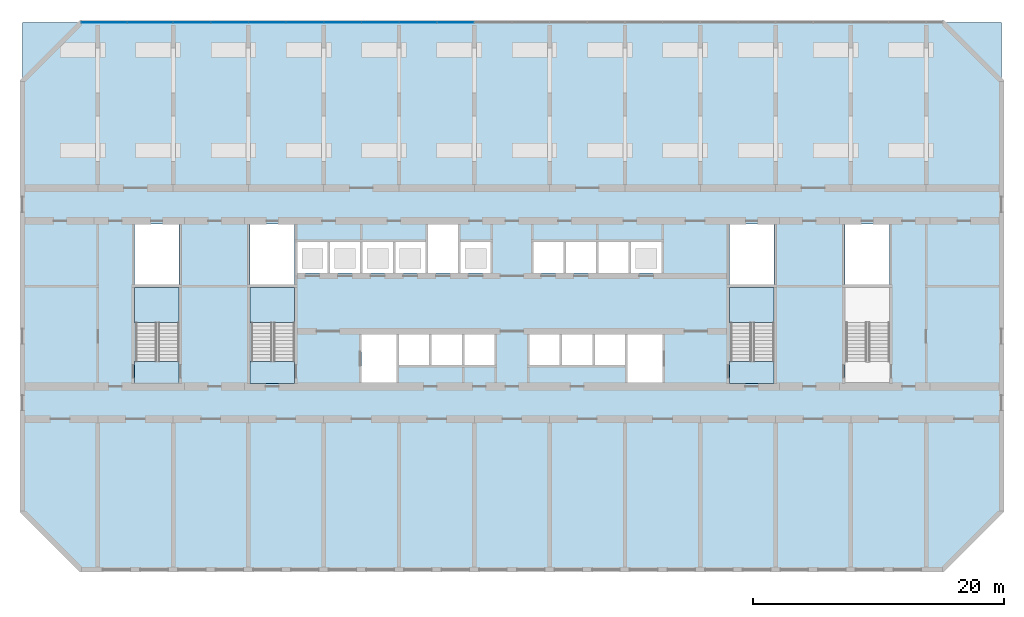
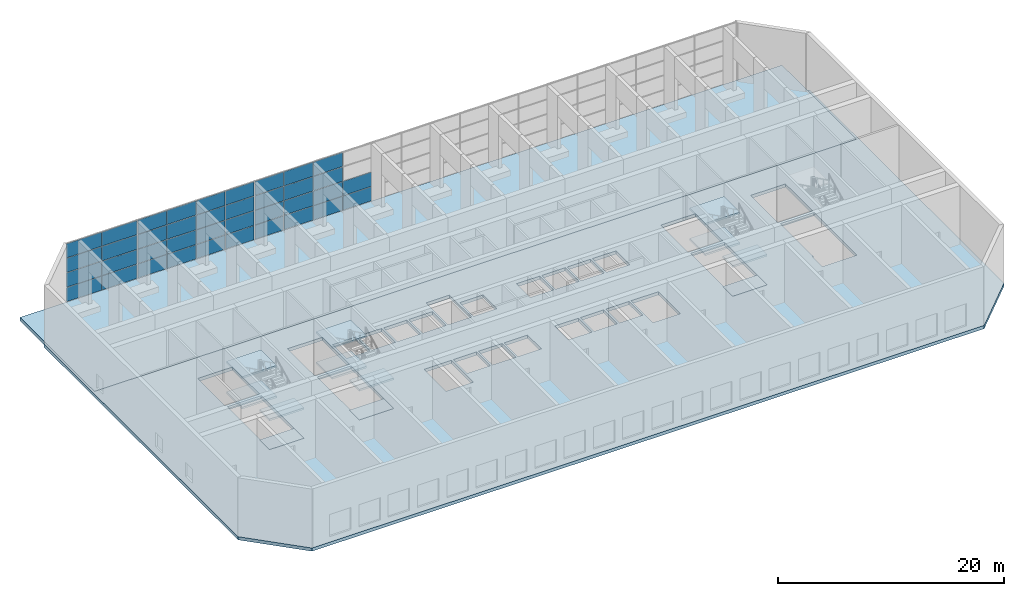
# One storey, part 4 of 16: 38 plates, 14 slabs, 6 elements without a shape of their own.
"""IFC4 building model written with IfcOpenShell, lengths in metres."""

from ifc_helpers import new_model, si_unit, direction, frame, origin, origin_2d, place, context, subcontext, project, spatial, polyline, rectangle, outline, extrude, source, transform, mapped, material, layer, layer_set, type_object, element, aggregate, save


model = new_model("IFC4")

# Units and contexts
model_context = context("Model", 3, precision=1e-05, world=origin(), true_north=direction((0.0, 1.0)))
body_context = subcontext(model_context, "Body", "Model", "MODEL_VIEW")
ifc_project = project(units=[si_unit("LENGTHUNIT", "METRE"), si_unit("AREAUNIT", "SQUARE_METRE"), si_unit("VOLUMEUNIT", "CUBIC_METRE"), si_unit("PLANEANGLEUNIT", "RADIAN"), si_unit("MASSUNIT", "GRAM", prefix="KILO")], contexts=[model_context])

# Site, building, storey
site_placement = place(None, origin())
site = spatial("IfcSite", under=ifc_project, at=site_placement, CompositionType="ELEMENT")
building_placement = place(site_placement, origin())
building = spatial("IfcBuilding", under=site, at=building_placement, Name="Poui Terraces", CompositionType="ELEMENT")
storey_placement = place(building_placement, frame((0.0, 0.0, 115.800048828125)))
storey = spatial("IfcBuildingStorey", under=building, at=storey_placement, Name="L32", CompositionType="ELEMENT", Elevation=115.800048828125)

# Curtain wall, plates
ifc_material_1 = material(Name="Clear glass", Category="glass")
ifc_layer_1 = layer(ifc_material_1, 0.159912109375)
ifc_layer_set_1 = layer_set([ifc_layer_1], Name="Clear glass")
curtain_wall_type = type_object("IfcCurtainWallType", Name="CURTAIN WALL CW-D SKY GARDEN GLAZING", PredefinedType="NOTDEFINED", material=ifc_layer_set_1)
curtain_wall_1_placement = place(storey_placement, origin())
curtain_wall_1 = element("IfcCurtainWall", 1, at=curtain_wall_1_placement, inside=storey, type_object=curtain_wall_type, Name="CW-D SKY GARDEN GLAZING", PredefinedType="NOTDEFINED")
ifc_layer_2 = layer(ifc_material_1, 0.052001953125)
ifc_layer_set_2 = layer_set([ifc_layer_2], Name="Clear glass")
plate_type = type_object("IfcPlateType", Name="CW-D GLASS PANEL 52", PredefinedType="CURTAIN_PANEL", material=ifc_layer_set_2)
plate_1_placement = place(storey_placement, frame((22.158203125, 43.60009765625, 0.0498046875), z_axis=(0.0, 0.0, 1.0), x_axis=(-1.0, 0.0, 0.0)))
plate_1 = element("IfcPlate", 2, at=plate_1_placement, type_object=plate_type, Name="CW-D panel 1.1", PredefinedType="CURTAIN_PANEL", context=body_context, shape_type="SweptSolid", body=[
    extrude(rectangle(XDim=3.58349609375, YDim=0.052001953125, at=origin_2d()), origin(), (0.0, 0.0, 1.0), 1.517578125),
])
plate_2_placement = place(storey_placement, frame((22.158203125, 43.60009765625, 1.617431640625), z_axis=(0.0, 0.0, 1.0), x_axis=(-1.0, 0.0, 0.0)))
plate_2 = element("IfcPlate", 3, at=plate_2_placement, type_object=plate_type, Name="CW-D panel 1.2", PredefinedType="CURTAIN_PANEL", context=body_context, shape_type="SweptSolid", body=[
    extrude(rectangle(XDim=3.58349609375, YDim=0.052001953125, at=origin_2d()), origin(), (0.0, 0.0, 1.0), 1.54248046875),
])
plate_3_placement = place(storey_placement, frame((22.158203125, 43.60009765625, 3.2099609375), z_axis=(0.0, 0.0, 1.0), x_axis=(-1.0, 0.0, 0.0)))
plate_3 = element("IfcPlate", 4, at=plate_3_placement, type_object=plate_type, Name="CW-D panel 1.3", PredefinedType="CURTAIN_PANEL", context=body_context, shape_type="SweptSolid", body=[
    extrude(rectangle(XDim=3.58349609375, YDim=0.052001953125, at=origin_2d()), origin(), (0.0, 0.0, 1.0), 1.54248046875),
])
plate_4_placement = place(storey_placement, frame((22.158203125, 43.60009765625, 4.802490234375), z_axis=(0.0, 0.0, 1.0), x_axis=(-1.0, 0.0, 0.0)))
plate_4 = element("IfcPlate", 5, at=plate_4_placement, type_object=plate_type, Name="CW-D panel 1.4", PredefinedType="CURTAIN_PANEL", context=body_context, shape_type="SweptSolid", body=[
    extrude(rectangle(XDim=3.58349609375, YDim=0.052001953125, at=origin_2d()), origin(), (0.0, 0.0, 1.0), 1.517578125),
])
plate_5_placement = place(storey_placement, frame((18.524658203125, 43.60009765625, 0.0498046875), z_axis=(0.0, 0.0, 1.0), x_axis=(-1.0, 0.0, 0.0)))
plate_5 = element("IfcPlate", 6, at=plate_5_placement, type_object=plate_type, Name="CW-D panel 2.1", PredefinedType="CURTAIN_PANEL", context=body_context, shape_type="SweptSolid", body=[
    extrude(rectangle(XDim=3.58349609375, YDim=0.052001953125, at=origin_2d()), origin(), (0.0, 0.0, 1.0), 1.517578125),
])
plate_6_placement = place(storey_placement, frame((18.524658203125, 43.60009765625, 1.617431640625), z_axis=(0.0, 0.0, 1.0), x_axis=(-1.0, 0.0, 0.0)))
plate_6 = element("IfcPlate", 7, at=plate_6_placement, type_object=plate_type, Name="CW-D panel 2.2", PredefinedType="CURTAIN_PANEL", context=body_context, shape_type="SweptSolid", body=[
    extrude(rectangle(XDim=3.58349609375, YDim=0.052001953125, at=origin_2d()), origin(), (0.0, 0.0, 1.0), 1.54248046875),
])
plate_7_placement = place(storey_placement, frame((18.524658203125, 43.60009765625, 3.2099609375), z_axis=(0.0, 0.0, 1.0), x_axis=(-1.0, 0.0, 0.0)))
plate_7 = element("IfcPlate", 8, at=plate_7_placement, type_object=plate_type, Name="CW-D panel 2.3", PredefinedType="CURTAIN_PANEL", context=body_context, shape_type="SweptSolid", body=[
    extrude(rectangle(XDim=3.58349609375, YDim=0.052001953125, at=origin_2d()), origin(), (0.0, 0.0, 1.0), 1.54248046875),
])
plate_8_placement = place(storey_placement, frame((18.524658203125, 43.60009765625, 4.802490234375), z_axis=(0.0, 0.0, 1.0), x_axis=(-1.0, 0.0, 0.0)))
plate_8 = element("IfcPlate", 9, at=plate_8_placement, type_object=plate_type, Name="CW-D panel 2.4", PredefinedType="CURTAIN_PANEL", context=body_context, shape_type="SweptSolid", body=[
    extrude(rectangle(XDim=3.58349609375, YDim=0.052001953125, at=origin_2d()), origin(), (0.0, 0.0, 1.0), 1.517578125),
])
aggregate(curtain_wall_1, [plate_1, plate_2, plate_3, plate_4, plate_5, plate_6, plate_7, plate_8])

curtain_wall_2_placement = place(storey_placement, origin())
curtain_wall_2 = element("IfcCurtainWall", 10, at=curtain_wall_2_placement, inside=storey, type_object=curtain_wall_type, Name="CW-D SKY GARDEN GLAZING", PredefinedType="NOTDEFINED")
plate_9_placement = place(storey_placement, frame((34.487548828125, 43.60009765625, 0.0498046875), z_axis=(0.0, 0.0, 1.0), x_axis=(-1.0, 0.0, 0.0)))
plate_9 = element("IfcPlate", 11, at=plate_9_placement, type_object=plate_type, Name="CW-D panel 1.1", PredefinedType="CURTAIN_PANEL", context=body_context, shape_type="SweptSolid", body=[
    extrude(rectangle(XDim=2.925048828125, YDim=0.052001953125, at=origin_2d()), origin(), (0.0, 0.0, 1.0), 1.517578125),
])
plate_10_placement = place(storey_placement, frame((34.487548828125, 43.60009765625, 1.617431640625), z_axis=(0.0, 0.0, 1.0), x_axis=(-1.0, 0.0, 0.0)))
plate_10 = element("IfcPlate", 12, at=plate_10_placement, type_object=plate_type, Name="CW-D panel 1.2", PredefinedType="CURTAIN_PANEL", context=body_context, shape_type="SweptSolid", body=[
    extrude(rectangle(XDim=2.925048828125, YDim=0.052001953125, at=origin_2d()), origin(), (0.0, 0.0, 1.0), 1.54248046875),
])
plate_11_placement = place(storey_placement, frame((34.487548828125, 43.60009765625, 3.2099609375), z_axis=(0.0, 0.0, 1.0), x_axis=(-1.0, 0.0, 0.0)))
plate_11 = element("IfcPlate", 13, at=plate_11_placement, type_object=plate_type, Name="CW-D panel 1.3", PredefinedType="CURTAIN_PANEL", context=body_context, shape_type="SweptSolid", body=[
    extrude(rectangle(XDim=2.925048828125, YDim=0.052001953125, at=origin_2d()), origin(), (0.0, 0.0, 1.0), 1.54248046875),
])
plate_12_placement = place(storey_placement, frame((34.487548828125, 43.60009765625, 4.802490234375), z_axis=(0.0, 0.0, 1.0), x_axis=(-1.0, 0.0, 0.0)))
plate_12 = element("IfcPlate", 14, at=plate_12_placement, type_object=plate_type, Name="CW-D panel 1.4", PredefinedType="CURTAIN_PANEL", context=body_context, shape_type="SweptSolid", body=[
    extrude(rectangle(XDim=2.925048828125, YDim=0.052001953125, at=origin_2d()), origin(), (0.0, 0.0, 1.0), 1.517578125),
])
plate_13_placement = place(storey_placement, frame((31.5, 43.60009765625, 0.0498046875), z_axis=(0.0, 0.0, 1.0), x_axis=(-1.0, 0.0, 0.0)))
plate_13 = element("IfcPlate", 15, at=plate_13_placement, type_object=plate_type, Name="CW-D panel 2.1", PredefinedType="CURTAIN_PANEL", context=body_context, shape_type="SweptSolid", body=[
    extrude(rectangle(XDim=2.949951171875, YDim=0.052001953125, at=origin_2d()), origin(), (0.0, 0.0, 1.0), 1.517578125),
])
plate_14_placement = place(storey_placement, frame((31.5, 43.60009765625, 1.617431640625), z_axis=(0.0, 0.0, 1.0), x_axis=(-1.0, 0.0, 0.0)))
plate_14 = element("IfcPlate", 16, at=plate_14_placement, type_object=plate_type, Name="CW-D panel 2.2", PredefinedType="CURTAIN_PANEL", context=body_context, shape_type="SweptSolid", body=[
    extrude(rectangle(XDim=2.949951171875, YDim=0.052001953125, at=origin_2d()), origin(), (0.0, 0.0, 1.0), 1.54248046875),
])
plate_15_placement = place(storey_placement, frame((31.5, 43.60009765625, 3.2099609375), z_axis=(0.0, 0.0, 1.0), x_axis=(-1.0, 0.0, 0.0)))
plate_15 = element("IfcPlate", 17, at=plate_15_placement, type_object=plate_type, Name="CW-D panel 2.3", PredefinedType="CURTAIN_PANEL", context=body_context, shape_type="SweptSolid", body=[
    extrude(rectangle(XDim=2.949951171875, YDim=0.052001953125, at=origin_2d()), origin(), (0.0, 0.0, 1.0), 1.54248046875),
])
plate_16_placement = place(storey_placement, frame((31.5, 43.60009765625, 4.802490234375), z_axis=(0.0, 0.0, 1.0), x_axis=(-1.0, 0.0, 0.0)))
plate_16 = element("IfcPlate", 18, at=plate_16_placement, type_object=plate_type, Name="CW-D panel 2.4", PredefinedType="CURTAIN_PANEL", context=body_context, shape_type="SweptSolid", body=[
    extrude(rectangle(XDim=2.949951171875, YDim=0.052001953125, at=origin_2d()), origin(), (0.0, 0.0, 1.0), 1.517578125),
])
plate_17_placement = place(storey_placement, frame((28.5, 43.60009765625, 0.0498046875), z_axis=(0.0, 0.0, 1.0), x_axis=(-1.0, 0.0, 0.0)))
plate_17 = element("IfcPlate", 19, at=plate_17_placement, type_object=plate_type, Name="CW-D panel 3.1", PredefinedType="CURTAIN_PANEL", context=body_context, shape_type="SweptSolid", body=[
    extrude(rectangle(XDim=2.949951171875, YDim=0.052001953125, at=origin_2d()), origin(), (0.0, 0.0, 1.0), 1.517578125),
])
plate_18_placement = place(storey_placement, frame((28.5, 43.60009765625, 1.617431640625), z_axis=(0.0, 0.0, 1.0), x_axis=(-1.0, 0.0, 0.0)))
plate_18 = element("IfcPlate", 20, at=plate_18_placement, type_object=plate_type, Name="CW-D panel 3.2", PredefinedType="CURTAIN_PANEL", context=body_context, shape_type="SweptSolid", body=[
    extrude(rectangle(XDim=2.949951171875, YDim=0.052001953125, at=origin_2d()), origin(), (0.0, 0.0, 1.0), 1.54248046875),
])
plate_19_placement = place(storey_placement, frame((28.5, 43.60009765625, 3.2099609375), z_axis=(0.0, 0.0, 1.0), x_axis=(-1.0, 0.0, 0.0)))
plate_19 = element("IfcPlate", 21, at=plate_19_placement, type_object=plate_type, Name="CW-D panel 3.3", PredefinedType="CURTAIN_PANEL", context=body_context, shape_type="SweptSolid", body=[
    extrude(rectangle(XDim=2.949951171875, YDim=0.052001953125, at=origin_2d()), origin(), (0.0, 0.0, 1.0), 1.54248046875),
])
plate_20_placement = place(storey_placement, frame((28.5, 43.60009765625, 4.802490234375), z_axis=(0.0, 0.0, 1.0), x_axis=(-1.0, 0.0, 0.0)))
plate_20 = element("IfcPlate", 22, at=plate_20_placement, type_object=plate_type, Name="CW-D panel 3.4", PredefinedType="CURTAIN_PANEL", context=body_context, shape_type="SweptSolid", body=[
    extrude(rectangle(XDim=2.949951171875, YDim=0.052001953125, at=origin_2d()), origin(), (0.0, 0.0, 1.0), 1.517578125),
])
plate_21_placement = place(storey_placement, frame((25.512451171875, 43.60009765625, 0.0498046875), z_axis=(0.0, 0.0, 1.0), x_axis=(-1.0, 0.0, 0.0)))
plate_21 = element("IfcPlate", 23, at=plate_21_placement, type_object=plate_type, Name="CW-D panel 4.1", PredefinedType="CURTAIN_PANEL", context=body_context, shape_type="SweptSolid", body=[
    extrude(rectangle(XDim=2.925048828125, YDim=0.052001953125, at=origin_2d()), origin(), (0.0, 0.0, 1.0), 1.517578125),
])
plate_22_placement = place(storey_placement, frame((25.512451171875, 43.60009765625, 1.617431640625), z_axis=(0.0, 0.0, 1.0), x_axis=(-1.0, 0.0, 0.0)))
plate_22 = element("IfcPlate", 24, at=plate_22_placement, type_object=plate_type, Name="CW-D panel 4.2", PredefinedType="CURTAIN_PANEL", context=body_context, shape_type="SweptSolid", body=[
    extrude(rectangle(XDim=2.925048828125, YDim=0.052001953125, at=origin_2d()), origin(), (0.0, 0.0, 1.0), 1.54248046875),
])
plate_23_placement = place(storey_placement, frame((25.512451171875, 43.60009765625, 3.2099609375), z_axis=(0.0, 0.0, 1.0), x_axis=(-1.0, 0.0, 0.0)))
plate_23 = element("IfcPlate", 25, at=plate_23_placement, type_object=plate_type, Name="CW-D panel 4.3", PredefinedType="CURTAIN_PANEL", context=body_context, shape_type="SweptSolid", body=[
    extrude(rectangle(XDim=2.925048828125, YDim=0.052001953125, at=origin_2d()), origin(), (0.0, 0.0, 1.0), 1.54248046875),
])
plate_24_placement = place(storey_placement, frame((25.512451171875, 43.60009765625, 4.802490234375), z_axis=(0.0, 0.0, 1.0), x_axis=(-1.0, 0.0, 0.0)))
plate_24 = element("IfcPlate", 26, at=plate_24_placement, type_object=plate_type, Name="CW-D panel 4.4", PredefinedType="CURTAIN_PANEL", context=body_context, shape_type="SweptSolid", body=[
    extrude(rectangle(XDim=2.925048828125, YDim=0.052001953125, at=origin_2d()), origin(), (0.0, 0.0, 1.0), 1.517578125),
])
aggregate(curtain_wall_2, [plate_9, plate_10, plate_11, plate_12, plate_13, plate_14, plate_15, plate_16, plate_17, plate_18, plate_19, plate_20, plate_21, plate_22, plate_23, plate_24])

curtain_wall_3_placement = place(storey_placement, origin())
curtain_wall_3 = element("IfcCurtainWall", 27, at=curtain_wall_3_placement, inside=storey, type_object=curtain_wall_type, Name="CW-D SKY GARDEN GLAZING", PredefinedType="NOTDEFINED")
plate_25_placement = place(storey_placement, frame((46.487548828125, 43.60009765625, 0.0498046875), z_axis=(0.0, 0.0, 1.0), x_axis=(-1.0, 0.0, 0.0)))
plate_25 = element("IfcPlate", 28, at=plate_25_placement, type_object=plate_type, Name="CW-D panel 1.1", PredefinedType="CURTAIN_PANEL", context=body_context, shape_type="SweptSolid", body=[
    extrude(rectangle(XDim=2.925048828125, YDim=0.052001953125, at=origin_2d()), origin(), (0.0, 0.0, 1.0), 1.517578125),
])
plate_26_placement = place(storey_placement, frame((46.487548828125, 43.60009765625, 1.617431640625), z_axis=(0.0, 0.0, 1.0), x_axis=(-1.0, 0.0, 0.0)))
plate_26 = element("IfcPlate", 29, at=plate_26_placement, type_object=plate_type, Name="CW-D panel 1.2", PredefinedType="CURTAIN_PANEL", context=body_context, shape_type="SweptSolid", body=[
    extrude(rectangle(XDim=2.925048828125, YDim=0.052001953125, at=origin_2d()), origin(), (0.0, 0.0, 1.0), 1.54248046875),
])
plate_27_placement = place(storey_placement, frame((43.5, 43.60009765625, 0.0498046875), z_axis=(0.0, 0.0, 1.0), x_axis=(-1.0, 0.0, 0.0)))
plate_27 = element("IfcPlate", 30, at=plate_27_placement, type_object=plate_type, Name="CW-D panel 2.1", PredefinedType="CURTAIN_PANEL", context=body_context, shape_type="SweptSolid", body=[
    extrude(rectangle(XDim=2.949951171875, YDim=0.052001953125, at=origin_2d()), origin(), (0.0, 0.0, 1.0), 1.517578125),
])
plate_28_placement = place(storey_placement, frame((43.5, 43.60009765625, 1.617431640625), z_axis=(0.0, 0.0, 1.0), x_axis=(-1.0, 0.0, 0.0)))
plate_28 = element("IfcPlate", 31, at=plate_28_placement, type_object=plate_type, Name="CW-D panel 2.2", PredefinedType="CURTAIN_PANEL", context=body_context, shape_type="SweptSolid", body=[
    extrude(rectangle(XDim=2.949951171875, YDim=0.052001953125, at=origin_2d()), origin(), (0.0, 0.0, 1.0), 1.54248046875),
])
plate_29_placement = place(storey_placement, frame((43.5, 43.60009765625, 3.2099609375), z_axis=(0.0, 0.0, 1.0), x_axis=(-1.0, 0.0, 0.0)))
plate_29 = element("IfcPlate", 32, at=plate_29_placement, type_object=plate_type, Name="CW-D panel 2.3", PredefinedType="CURTAIN_PANEL", context=body_context, shape_type="SweptSolid", body=[
    extrude(rectangle(XDim=2.949951171875, YDim=0.052001953125, at=origin_2d()), origin(), (0.0, 0.0, 1.0), 1.54248046875),
])
plate_30_placement = place(storey_placement, frame((43.5, 43.60009765625, 4.802490234375), z_axis=(0.0, 0.0, 1.0), x_axis=(-1.0, 0.0, 0.0)))
plate_30 = element("IfcPlate", 33, at=plate_30_placement, type_object=plate_type, Name="CW-D panel 2.4", PredefinedType="CURTAIN_PANEL", context=body_context, shape_type="SweptSolid", body=[
    extrude(rectangle(XDim=2.949951171875, YDim=0.052001953125, at=origin_2d()), origin(), (0.0, 0.0, 1.0), 1.517578125),
])
plate_31_placement = place(storey_placement, frame((40.5, 43.60009765625, 0.0498046875), z_axis=(0.0, 0.0, 1.0), x_axis=(-1.0, 0.0, 0.0)))
plate_31 = element("IfcPlate", 34, at=plate_31_placement, type_object=plate_type, Name="CW-D panel 3.1", PredefinedType="CURTAIN_PANEL", context=body_context, shape_type="SweptSolid", body=[
    extrude(rectangle(XDim=2.949951171875, YDim=0.052001953125, at=origin_2d()), origin(), (0.0, 0.0, 1.0), 1.517578125),
])
plate_32_placement = place(storey_placement, frame((40.5, 43.60009765625, 1.617431640625), z_axis=(0.0, 0.0, 1.0), x_axis=(-1.0, 0.0, 0.0)))
plate_32 = element("IfcPlate", 35, at=plate_32_placement, type_object=plate_type, Name="CW-D panel 3.2", PredefinedType="CURTAIN_PANEL", context=body_context, shape_type="SweptSolid", body=[
    extrude(rectangle(XDim=2.949951171875, YDim=0.052001953125, at=origin_2d()), origin(), (0.0, 0.0, 1.0), 1.54248046875),
])
plate_33_placement = place(storey_placement, frame((40.5, 43.60009765625, 3.2099609375), z_axis=(0.0, 0.0, 1.0), x_axis=(-1.0, 0.0, 0.0)))
plate_33 = element("IfcPlate", 36, at=plate_33_placement, type_object=plate_type, Name="CW-D panel 3.3", PredefinedType="CURTAIN_PANEL", context=body_context, shape_type="SweptSolid", body=[
    extrude(rectangle(XDim=2.949951171875, YDim=0.052001953125, at=origin_2d()), origin(), (0.0, 0.0, 1.0), 1.54248046875),
])
plate_34_placement = place(storey_placement, frame((40.5, 43.60009765625, 4.802490234375), z_axis=(0.0, 0.0, 1.0), x_axis=(-1.0, 0.0, 0.0)))
plate_34 = element("IfcPlate", 37, at=plate_34_placement, type_object=plate_type, Name="CW-D panel 3.4", PredefinedType="CURTAIN_PANEL", context=body_context, shape_type="SweptSolid", body=[
    extrude(rectangle(XDim=2.949951171875, YDim=0.052001953125, at=origin_2d()), origin(), (0.0, 0.0, 1.0), 1.517578125),
])
plate_35_placement = place(storey_placement, frame((37.512451171875, 43.60009765625, 0.0498046875), z_axis=(0.0, 0.0, 1.0), x_axis=(-1.0, 0.0, 0.0)))
plate_35 = element("IfcPlate", 38, at=plate_35_placement, type_object=plate_type, Name="CW-D panel 4.1", PredefinedType="CURTAIN_PANEL", context=body_context, shape_type="SweptSolid", body=[
    extrude(rectangle(XDim=2.925048828125, YDim=0.052001953125, at=origin_2d()), origin(), (0.0, 0.0, 1.0), 1.517578125),
])
plate_36_placement = place(storey_placement, frame((37.512451171875, 43.60009765625, 1.617431640625), z_axis=(0.0, 0.0, 1.0), x_axis=(-1.0, 0.0, 0.0)))
plate_36 = element("IfcPlate", 39, at=plate_36_placement, type_object=plate_type, Name="CW-D panel 4.2", PredefinedType="CURTAIN_PANEL", context=body_context, shape_type="SweptSolid", body=[
    extrude(rectangle(XDim=2.925048828125, YDim=0.052001953125, at=origin_2d()), origin(), (0.0, 0.0, 1.0), 1.54248046875),
])
plate_37_placement = place(storey_placement, frame((37.512451171875, 43.60009765625, 3.2099609375), z_axis=(0.0, 0.0, 1.0), x_axis=(-1.0, 0.0, 0.0)))
plate_37 = element("IfcPlate", 40, at=plate_37_placement, type_object=plate_type, Name="CW-D panel 4.3", PredefinedType="CURTAIN_PANEL", context=body_context, shape_type="SweptSolid", body=[
    extrude(rectangle(XDim=2.925048828125, YDim=0.052001953125, at=origin_2d()), origin(), (0.0, 0.0, 1.0), 1.54248046875),
])
plate_38_placement = place(storey_placement, frame((37.512451171875, 43.60009765625, 4.802490234375), z_axis=(0.0, 0.0, 1.0), x_axis=(-1.0, 0.0, 0.0)))
plate_38 = element("IfcPlate", 41, at=plate_38_placement, type_object=plate_type, Name="CW-D panel 4.4", PredefinedType="CURTAIN_PANEL", context=body_context, shape_type="SweptSolid", body=[
    extrude(rectangle(XDim=2.925048828125, YDim=0.052001953125, at=origin_2d()), origin(), (0.0, 0.0, 1.0), 1.517578125),
])
aggregate(curtain_wall_3, [plate_25, plate_26, plate_27, plate_28, plate_29, plate_30, plate_31, plate_32, plate_33, plate_34, plate_35, plate_36, plate_37, plate_38])

# Stair, slabs
ifc_material_2 = material(Name="Concrete 65 MPa", Category="concrete")
stair_type = type_object("IfcStairType", Name="EXIT STAIR 1650 65 MPA", PredefinedType="HALF_TURN_STAIR", material=ifc_material_2)
stair_1_placement = place(storey_placement, origin())
stair_1 = element("IfcStair", 42, at=stair_1_placement, inside=storey, type_object=stair_type, Name="L32 CORE STAIR EAST", PredefinedType="HALF_TURN_STAIR")
ifc_layer_3 = layer(ifc_material_2, 0.199951171875)
ifc_layer_set_3 = layer_set([ifc_layer_3], Name="Concrete 65 MPa")
slab_type_1 = type_object("IfcSlabType", Name="STAIR LANDING 200 65 MPA", PredefinedType="LANDING", material=ifc_layer_set_3)
slab_1_placement = place(storey_placement, frame((0.0, 0.0, 1.449951171875)))
slab_1 = element("IfcSlab", 43, at=slab_1_placement, type_object=slab_type_1, Name="ST-CE landing 1", PredefinedType="LANDING", context=body_context, shape_type="SweptSolid", body=[
    extrude(outline(polyline([(68.324951171875, 19.679931640625), (71.875, 19.679931640625), (71.875, 22.47509765625), (68.324951171875, 22.47509765625), (68.324951171875, 19.679931640625)])), origin(), (0.0, 0.0, 1.0), 0.199951171875),
])
slab_2_placement = place(storey_placement, frame((0.0, 0.0, 3.099853515625)))
slab_2 = element("IfcSlab", 44, at=slab_2_placement, type_object=slab_type_1, Name="ST-CE landing 2", PredefinedType="LANDING", context=body_context, shape_type="SweptSolid", body=[
    extrude(outline(polyline([(68.324951171875, 14.85009765625), (71.875, 14.85009765625), (71.875, 16.60009765625), (68.324951171875, 16.60009765625), (68.324951171875, 14.85009765625)])), origin(), (0.0, 0.0, 1.0), 0.2001953125),
])
slab_3_placement = place(storey_placement, frame((0.0, 0.0, 4.749755859375)))
slab_3 = element("IfcSlab", 45, at=slab_3_placement, type_object=slab_type_1, Name="ST-CE landing 3", PredefinedType="LANDING", context=body_context, shape_type="SweptSolid", body=[
    extrude(outline(polyline([(68.324951171875, 19.679931640625), (71.875, 19.679931640625), (71.875, 22.47509765625), (68.324951171875, 22.47509765625), (68.324951171875, 19.679931640625)])), origin(), (0.0, 0.0, 1.0), 0.2001953125),
])
slab_4_placement = place(storey_placement, frame((0.0, 0.0, -0.2001953125)))
slab_4 = element("IfcSlab", 46, at=slab_4_placement, type_object=slab_type_1, Name="ST-CE landing 4", PredefinedType="LANDING", context=body_context, shape_type="SweptSolid", body=[
    extrude(outline(polyline([(68.324951171875, 14.85009765625), (71.875, 14.85009765625), (71.875, 16.60009765625), (68.324951171875, 16.60009765625), (68.324951171875, 14.85009765625)])), origin(), (0.0, 0.0, 1.0), 0.2001953125),
])
aggregate(stair_1, [slab_1, slab_2, slab_3, slab_4])

stair_2_placement = place(storey_placement, origin())
stair_2 = element("IfcStair", 47, at=stair_2_placement, inside=storey, type_object=stair_type, Name="L32 CORE STAIR WEST", PredefinedType="HALF_TURN_STAIR")
slab_5_placement = place(storey_placement, frame((0.0, 0.0, 1.449951171875)))
slab_5 = element("IfcSlab", 48, at=slab_5_placement, type_object=slab_type_1, Name="ST-CW landing 1", PredefinedType="LANDING", context=body_context, shape_type="SweptSolid", body=[
    extrude(outline(polyline([(30.125, 19.679931640625), (33.675048828125, 19.679931640625), (33.675048828125, 22.47509765625), (30.125, 22.47509765625), (30.125, 19.679931640625)])), origin(), (0.0, 0.0, 1.0), 0.199951171875),
])
slab_6_placement = place(storey_placement, frame((0.0, 0.0, 3.099853515625)))
slab_6 = element("IfcSlab", 49, at=slab_6_placement, type_object=slab_type_1, Name="ST-CW landing 2", PredefinedType="LANDING", context=body_context, shape_type="SweptSolid", body=[
    extrude(outline(polyline([(30.125, 14.85009765625), (33.675048828125, 14.85009765625), (33.675048828125, 16.60009765625), (30.125, 16.60009765625), (30.125, 14.85009765625)])), origin(), (0.0, 0.0, 1.0), 0.2001953125),
])
slab_7_placement = place(storey_placement, frame((0.0, 0.0, 4.749755859375)))
slab_7 = element("IfcSlab", 50, at=slab_7_placement, type_object=slab_type_1, Name="ST-CW landing 3", PredefinedType="LANDING", context=body_context, shape_type="SweptSolid", body=[
    extrude(outline(polyline([(30.125, 19.679931640625), (33.675048828125, 19.679931640625), (33.675048828125, 22.47509765625), (30.125, 22.47509765625), (30.125, 19.679931640625)])), origin(), (0.0, 0.0, 1.0), 0.2001953125),
])
slab_8_placement = place(storey_placement, frame((0.0, 0.0, -0.2001953125)))
slab_8 = element("IfcSlab", 51, at=slab_8_placement, type_object=slab_type_1, Name="ST-CW landing 4", PredefinedType="LANDING", context=body_context, shape_type="SweptSolid", body=[
    extrude(outline(polyline([(30.125, 14.85009765625), (33.675048828125, 14.85009765625), (33.675048828125, 16.60009765625), (30.125, 16.60009765625), (30.125, 14.85009765625)])), origin(), (0.0, 0.0, 1.0), 0.2001953125),
])
aggregate(stair_2, [slab_5, slab_6, slab_7, slab_8])

stair_3_placement = place(storey_placement, origin())
stair_3 = element("IfcStair", 52, at=stair_3_placement, inside=storey, type_object=stair_type, Name="L32 TIP STAIR WEST", PredefinedType="HALF_TURN_STAIR")
slab_9_placement = place(storey_placement, frame((0.0, 0.0, 1.449951171875)))
slab_9 = element("IfcSlab", 53, at=slab_9_placement, type_object=slab_type_1, Name="ST-W landing 1", PredefinedType="LANDING", context=body_context, shape_type="SweptSolid", body=[
    extrude(outline(polyline([(20.925048828125, 19.679931640625), (24.47509765625, 19.679931640625), (24.47509765625, 22.47509765625), (20.925048828125, 22.47509765625), (20.925048828125, 19.679931640625)])), origin(), (0.0, 0.0, 1.0), 0.199951171875),
])
slab_10_placement = place(storey_placement, frame((0.0, 0.0, 3.099853515625)))
slab_10 = element("IfcSlab", 54, at=slab_10_placement, type_object=slab_type_1, Name="ST-W landing 2", PredefinedType="LANDING", context=body_context, shape_type="SweptSolid", body=[
    extrude(outline(polyline([(20.925048828125, 14.85009765625), (24.47509765625, 14.85009765625), (24.47509765625, 16.60009765625), (20.925048828125, 16.60009765625), (20.925048828125, 14.85009765625)])), origin(), (0.0, 0.0, 1.0), 0.2001953125),
])
slab_11_placement = place(storey_placement, frame((0.0, 0.0, 4.749755859375)))
slab_11 = element("IfcSlab", 55, at=slab_11_placement, type_object=slab_type_1, Name="ST-W landing 3", PredefinedType="LANDING", context=body_context, shape_type="SweptSolid", body=[
    extrude(outline(polyline([(20.925048828125, 19.679931640625), (24.47509765625, 19.679931640625), (24.47509765625, 22.47509765625), (20.925048828125, 22.47509765625), (20.925048828125, 19.679931640625)])), origin(), (0.0, 0.0, 1.0), 0.2001953125),
])
slab_12_placement = place(storey_placement, frame((0.0, 0.0, -0.2001953125)))
slab_12 = element("IfcSlab", 56, at=slab_12_placement, type_object=slab_type_1, Name="ST-W landing 4", PredefinedType="LANDING", context=body_context, shape_type="SweptSolid", body=[
    extrude(outline(polyline([(20.925048828125, 14.85009765625), (24.47509765625, 14.85009765625), (24.47509765625, 16.60009765625), (20.925048828125, 16.60009765625), (20.925048828125, 14.85009765625)])), origin(), (0.0, 0.0, 1.0), 0.2001953125),
])
aggregate(stair_3, [slab_9, slab_10, slab_11, slab_12])

# Slabs
ifc_material_3 = material(Name="Concrete 40 MPa", Category="concrete")
ifc_layer_4 = layer(ifc_material_3, 0.35009765625)
ifc_layer_set_4 = layer_set([ifc_layer_4], Name="Concrete 40 MPa")
slab_type_2 = type_object("IfcSlabType", Name="FLOOR SLAB 350", PredefinedType="FLOOR", material=ifc_layer_set_4)
shared_shape_1 = source(origin(), body_context, "Body", "SweptSolid", [
    extrude(outline(polyline([(0.0, 0.0), (0.0, 34.39990234375), (-0.199951171875, 34.599853515625), (-0.199951171875, 25.7998046875), (-78.199951171875, 25.7998046875), (-78.199951171875, 34.599853515625), (-78.39990234375, 34.39990234375), (-78.39990234375, 0.0), (-73.599853515625, -4.800048828125), (-4.800048828125, -4.800048828125), (0.0, 0.0)]), holes=[polyline([(-51.199951171875, 10.25), (-51.199951171875, 14.14990234375), (-48.39990234375, 14.14990234375), (-48.39990234375, 10.25), (-51.199951171875, 10.25)]), polyline([(-48.199951171875, 14.14990234375), (-45.800048828125, 14.14990234375), (-45.800048828125, 11.699951171875), (-48.199951171875, 11.699951171875), (-48.199951171875, 14.14990234375)]), polyline([(-45.599853515625, 14.14990234375), (-43.199951171875, 14.14990234375), (-43.199951171875, 11.699951171875), (-45.599853515625, 11.699951171875), (-45.599853515625, 14.14990234375)]), polyline([(-69.175048828125, 17.849853515625), (-65.724853515625, 17.849853515625), (-65.724853515625, 12.0), (-65.724853515625, 10.25), (-69.27490234375, 10.25), (-69.27490234375, 12.0), (-69.175048828125, 12.0), (-69.175048828125, 17.849853515625)]), polyline([(-56.52490234375, 17.849853515625), (-56.52490234375, 12.0), (-56.52490234375, 10.25), (-60.074951171875, 10.25), (-60.074951171875, 12.0), (-59.974853515625, 12.0), (-59.974853515625, 17.849853515625), (-56.52490234375, 17.849853515625)]), polyline([(-56.300048828125, 21.5), (-53.89990234375, 21.5), (-53.89990234375, 19.0498046875), (-56.300048828125, 19.0498046875), (-56.300048828125, 21.5)]), polyline([(-53.699951171875, 19.0498046875), (-53.699951171875, 21.5), (-51.300048828125, 21.5), (-51.300048828125, 19.0498046875), (-53.699951171875, 19.0498046875)]), polyline([(-51.099853515625, 21.5), (-48.699951171875, 21.5), (-48.699951171875, 19.0498046875), (-51.099853515625, 19.0498046875), (-51.099853515625, 21.5)]), polyline([(-48.5, 21.5), (-46.099853515625, 21.5), (-46.099853515625, 19.0498046875), (-48.5, 19.0498046875), (-48.5, 21.5)]), polyline([(-43.300048828125, 21.5), (-40.89990234375, 21.5), (-40.89990234375, 19.0498046875), (-43.300048828125, 19.0498046875), (-43.300048828125, 21.5)]), polyline([(-69.27490234375, 22.949951171875), (-65.724853515625, 22.949951171875), (-65.724853515625, 18.125), (-69.27490234375, 18.125), (-69.27490234375, 22.949951171875)]), polyline([(-60.074951171875, 22.949951171875), (-56.52490234375, 22.949951171875), (-56.52490234375, 18.125), (-60.074951171875, 18.125), (-60.074951171875, 22.949951171875)]), polyline([(-45.89990234375, 22.949951171875), (-43.5, 22.949951171875), (-43.5, 19.0498046875), (-45.89990234375, 19.0498046875), (-45.89990234375, 22.949951171875)]), polyline([(-30.0, 10.25), (-30.0, 14.14990234375), (-27.199951171875, 14.14990234375), (-27.199951171875, 10.25), (-30.0, 10.25)]), polyline([(-43.0, 14.14990234375), (-40.599853515625, 14.14990234375), (-40.599853515625, 11.699951171875), (-43.0, 11.699951171875), (-43.0, 14.14990234375)]), polyline([(-37.800048828125, 14.14990234375), (-35.39990234375, 14.14990234375), (-35.39990234375, 11.699951171875), (-37.800048828125, 11.699951171875), (-37.800048828125, 14.14990234375)]), polyline([(-35.199951171875, 11.699951171875), (-35.199951171875, 14.14990234375), (-32.800048828125, 14.14990234375), (-32.800048828125, 11.699951171875), (-35.199951171875, 11.699951171875)]), polyline([(-32.599853515625, 14.14990234375), (-30.199951171875, 14.14990234375), (-30.199951171875, 11.699951171875), (-32.599853515625, 11.699951171875), (-32.599853515625, 14.14990234375)]), polyline([(-18.324951171875, 17.849853515625), (-18.324951171875, 12.0), (-18.324951171875, 10.25), (-21.875, 10.25), (-21.875, 12.0), (-21.77490234375, 12.0), (-21.77490234375, 17.849853515625), (-18.324951171875, 17.849853515625)]), polyline([(-12.574951171875, 17.849853515625), (-9.125, 17.849853515625), (-9.125, 12.0), (-9.125, 10.25), (-12.675048828125, 10.25), (-12.675048828125, 12.0), (-12.574951171875, 12.0), (-12.574951171875, 17.849853515625)]), polyline([(-37.5, 21.5), (-35.099853515625, 21.5), (-35.099853515625, 19.0498046875), (-37.5, 19.0498046875), (-37.5, 21.5)]), polyline([(-34.89990234375, 21.5), (-32.5, 21.5), (-32.5, 19.0498046875), (-34.89990234375, 19.0498046875), (-34.89990234375, 21.5)]), polyline([(-32.300048828125, 21.5), (-29.89990234375, 21.5), (-29.89990234375, 19.0498046875), (-32.300048828125, 19.0498046875), (-32.300048828125, 21.5)]), polyline([(-29.699951171875, 21.5), (-27.300048828125, 21.5), (-27.300048828125, 19.0498046875), (-29.699951171875, 19.0498046875), (-29.699951171875, 21.5)]), polyline([(-21.875, 22.949951171875), (-18.324951171875, 22.949951171875), (-18.324951171875, 18.125), (-21.875, 18.125), (-21.875, 22.949951171875)]), polyline([(-12.675048828125, 22.949951171875), (-9.125, 22.949951171875), (-9.125, 18.125), (-12.675048828125, 18.125), (-12.675048828125, 22.949951171875)])]), origin(), (0.0, 0.0, 1.0), 0.35009765625),
])
slab_13_placement = place(storey_placement, frame((90.199951171875, 4.60009765625, -0.35009765625)))
element("IfcSlab", 57, at=slab_13_placement, inside=storey, type_object=slab_type_2, Name="FLOOR SLAB", PredefinedType="FLOOR", context=body_context, shape_type="MappedRepresentation", body=[
    mapped(shared_shape_1, transform((0.0, 0.0, 0.0))),
])
ifc_layer_5 = layer(ifc_material_3, 0.35009765625)
ifc_layer_set_5 = layer_set([ifc_layer_5], Name="Concrete 40 MPa")
slab_type_3 = type_object("IfcSlabType", Name="GARDEN DECK 350", PredefinedType="FLOOR", material=ifc_layer_set_5)
shared_shape_2 = source(origin(), body_context, "Body", "SweptSolid", [
    extrude(outline(polyline([(0.0, 0.0), (0.0, 13.2001953125), (-78.0, 13.2001953125), (-78.0, 0.0), (0.0, 0.0)])), origin(), (0.0, 0.0, 1.0), 0.35009765625),
])
slab_14_placement = place(storey_placement, frame((90.0, 30.39990234375, -0.35009765625)))
element("IfcSlab", 58, at=slab_14_placement, inside=storey, type_object=slab_type_3, Name="SKY GARDEN DECK", PredefinedType="FLOOR", context=body_context, shape_type="MappedRepresentation", body=[
    mapped(shared_shape_2, transform((0.0, 0.0, 0.0))),
])

save(model, "model.ifc")
